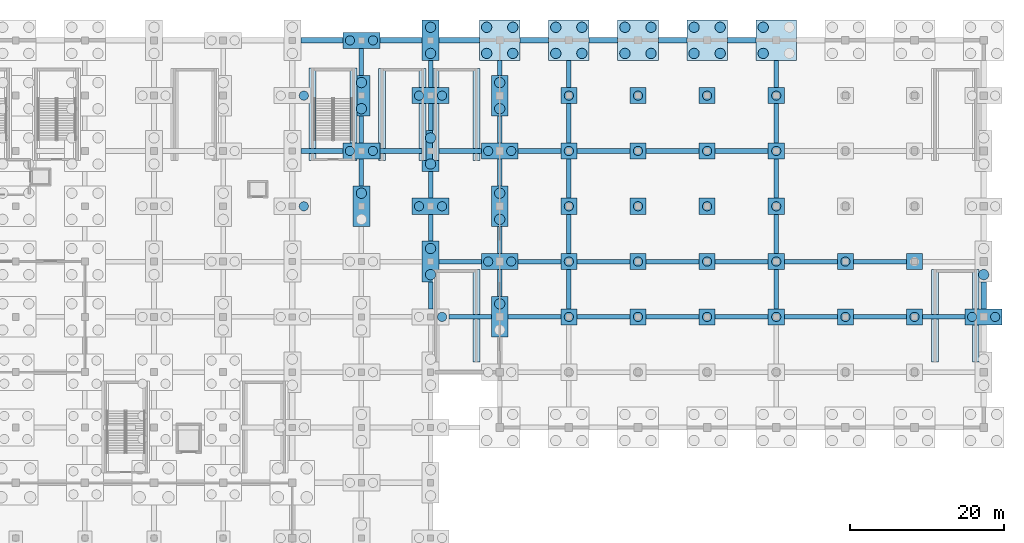
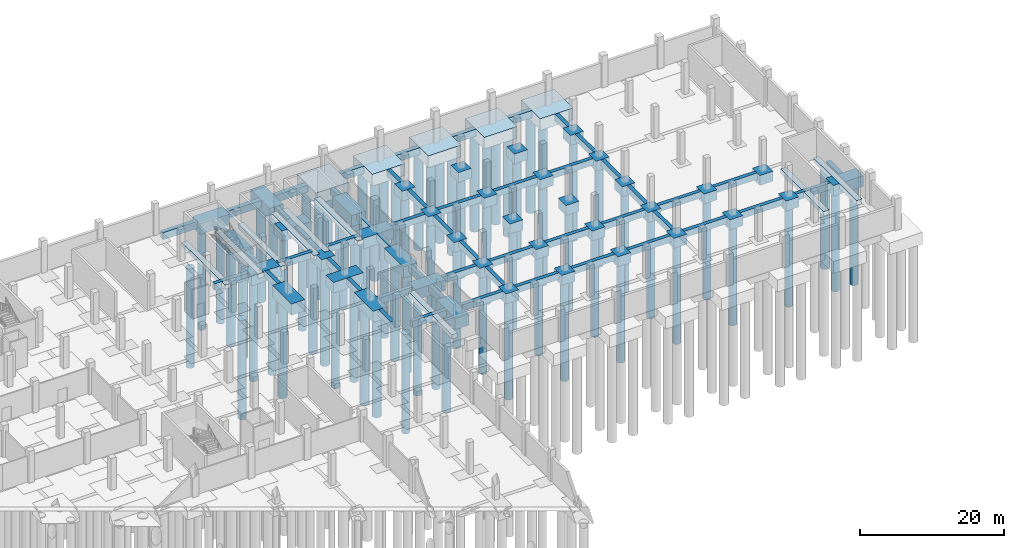
# One storey, part 11 of 39: 106 footings, 73 piles.
"""IFC4 building model written with IfcOpenShell, lengths in metres."""

from ifc_helpers import new_model, si_unit, direction, frame, origin, origin_2d, place, context, subcontext, project, spatial, rectangle, circle, extrude, material, material_profile, profile_set, type_object, element, save


model = new_model("IFC4")

# Units and contexts
model_context = context("Model", 3, precision=1e-05, world=origin(), true_north=direction((0.0, 1.0)))
body_context = subcontext(model_context, "Body", "Model", "MODEL_VIEW")
ifc_project = project(units=[si_unit("LENGTHUNIT", "METRE"), si_unit("AREAUNIT", "SQUARE_METRE"), si_unit("VOLUMEUNIT", "CUBIC_METRE"), si_unit("PLANEANGLEUNIT", "RADIAN"), si_unit("MASSUNIT", "GRAM", prefix="KILO")], contexts=[model_context])

# Site, building, storey
site_placement = place(None, origin())
site = spatial("IfcSite", under=ifc_project, at=site_placement, CompositionType="ELEMENT")
building_placement = place(site_placement, origin())
building = spatial("IfcBuilding", under=site, at=building_placement, Name="Celestram Park Convention Centre", CompositionType="ELEMENT")
storey_placement = place(building_placement, frame((0.0, 0.0, -5.39990234375)))
storey = spatial("IfcBuildingStorey", under=building, at=storey_placement, Name="B1", CompositionType="ELEMENT", Elevation=-5.39990234375)

# Footings
ifc_material_1 = material(Name="Concrete C40/50", Category="concrete")
footing_type_1 = type_object("IfcFootingType", Name="STR-CAP-PC2", PredefinedType="PILE_CAP", material=ifc_material_1)
for number, where, z_axis, x_axis, name in (
    (1, (162.0, 129.60009765625, -1.7001953125), (0.0, 0.0, 1.0), (1.0, 0.0, 0.0), "Caisson cap PC-02 at (162.0, 129.6)"),
    (2, (162.0, 136.800048828125, -1.7001953125), (0.0, 0.0, 1.0), (1.0, 0.0, 0.0), "Caisson cap PC-02 at (162.0, 136.8)"),
    (3, (162.0, 144.0, -1.7001953125), (0.0, 0.0, 1.0), (1.0, 0.0, 0.0), "Caisson cap PC-02 at (162.0, 144.0)"),
    (4, (162.0, 151.199951171875, -1.7001953125), (0.0, 0.0, 1.0), (1.0, 0.0, 0.0), "Caisson cap PC-02 at (162.0, 151.2)"),
    (5, (162.0, 158.39990234375, -1.7001953125), (0.0, 0.0, 1.0), (1.0, 0.0, 0.0), "Caisson cap PC-02 at (162.0, 158.4)"),
    (6, (171.0, 129.60009765625, -1.7001953125), (0.0, 0.0, 1.0), (1.0, 0.0, 0.0), "Caisson cap PC-02 at (171.0, 129.6)"),
    (7, (171.0, 136.800048828125, -1.7001953125), (0.0, 0.0, 1.0), (1.0, 0.0, 0.0), "Caisson cap PC-02 at (171.0, 136.8)"),
    (8, (171.0, 144.0, -1.7001953125), (0.0, 0.0, 1.0), (1.0, 0.0, 0.0), "Caisson cap PC-02 at (171.0, 144.0)"),
    (9, (171.0, 151.199951171875, -1.7001953125), (0.0, 0.0, 1.0), (1.0, 0.0, 0.0), "Caisson cap PC-02 at (171.0, 151.2)"),
    (10, (171.0, 158.39990234375, -1.7001953125), (0.0, 0.0, 1.0), (1.0, 0.0, 0.0), "Caisson cap PC-02 at (171.0, 158.4)"),
    (11, (180.0, 129.60009765625, -1.7001953125), (0.0, 0.0, 1.0), (1.0, 0.0, 0.0), "Caisson cap PC-02 at (180.0, 129.6)"),
    (12, (180.0, 136.800048828125, -1.7001953125), (0.0, 0.0, 1.0), (1.0, 0.0, 0.0), "Caisson cap PC-02 at (180.0, 136.8)"),
    (13, (180.0, 144.0, -1.7001953125), (0.0, 0.0, 1.0), (1.0, 0.0, 0.0), "Caisson cap PC-02 at (180.0, 144.0)"),
    (14, (180.0, 151.199951171875, -1.7001953125), (0.0, 0.0, 1.0), (1.0, 0.0, 0.0), "Caisson cap PC-02 at (180.0, 151.2)"),
    (15, (180.0, 158.39990234375, -1.7001953125), (0.0, 0.0, 1.0), (1.0, 0.0, 0.0), "Caisson cap PC-02 at (180.0, 158.4)"),
    (16, (189.0, 129.60009765625, -1.7001953125), (0.0, 0.0, 1.0), (1.0, 0.0, 0.0), "Caisson cap PC-02 at (189.0, 129.6)"),
    (17, (189.0, 136.800048828125, -1.7001953125), (0.0, 0.0, 1.0), (1.0, 0.0, 0.0), "Caisson cap PC-02 at (189.0, 136.8)"),
    (18, (189.0, 144.0, -1.7001953125), (0.0, 0.0, 1.0), (1.0, 0.0, 0.0), "Caisson cap PC-02 at (189.0, 144.0)"),
    (19, (189.0, 151.199951171875, -1.7001953125), (0.0, 0.0, 1.0), (1.0, 0.0, 0.0), "Caisson cap PC-02 at (189.0, 151.2)"),
    (20, (189.0, 158.39990234375, -1.7001953125), (0.0, 0.0, 1.0), (1.0, 0.0, 0.0), "Caisson cap PC-02 at (189.0, 158.4)"),
    (21, (198.0, 129.60009765625, -1.7001953125), (0.0, 0.0, 1.0), (1.0, 0.0, 0.0), "Caisson cap PC-02 at (198.0, 129.6)"),
    (22, (198.0, 136.800048828125, -1.7001953125), (0.0, 0.0, 1.0), (1.0, 0.0, 0.0), "Caisson cap PC-02 at (198.0, 136.8)"),
    (23, (207.0, 129.60009765625, -1.7001953125), (0.0, 0.0, 1.0), (1.0, 0.0, 0.0), "Caisson cap PC-02 at (207.0, 129.6)"),
    (24, (207.0, 136.800048828125, -1.7001953125), (0.0, 0.0, 1.0), (1.0, 0.0, 0.0), "Caisson cap PC-02 at (207.0, 136.8)"),
):
    element("IfcFooting", number, at=place(storey_placement, frame(where, z_axis=z_axis, x_axis=x_axis)), inside=storey, type_object=footing_type_1, Name=name, PredefinedType="PILE_CAP", context=body_context, shape_type="SweptSolid", body=[
        extrude(rectangle(XDim=2.10009765625, YDim=2.10009765625, at=origin_2d()), origin(), (0.0, 0.0, 1.0), 1.699951171875),
    ])
footing_type_2 = type_object("IfcFootingType", Name="STR-CAP-PC4", PredefinedType="PILE_CAP", material=ifc_material_1)
for number, where, z_axis, x_axis, name in (
    (25, (135.0, 151.199951171875, -1.80029296875), (0.0, 0.0, 1.0), (1.0, 0.0, 0.0), "Caisson cap PC-04 at (135.0, 151.2)"),
    (26, (135.0, 165.60009765625, -1.80029296875), (0.0, 0.0, 1.0), (1.0, 0.0, 0.0), "Caisson cap PC-04 at (135.0, 165.6)"),
    (27, (144.0, 144.0, -1.80029296875), (0.0, 0.0, 1.0), (1.0, 0.0, 0.0), "Caisson cap PC-04 at (144.0, 144.0)"),
    (28, (144.0, 158.39990234375, -1.80029296875), (0.0, 0.0, 1.0), (1.0, 0.0, 0.0), "Caisson cap PC-04 at (144.0, 158.4)"),
    (29, (153.0, 136.800048828125, -1.80029296875), (0.0, 0.0, 1.0), (1.0, 0.0, 0.0), "Caisson cap PC-04 at (153.0, 136.8)"),
    (30, (153.0, 151.199951171875, -1.80029296875), (0.0, 0.0, 1.0), (1.0, 0.0, 0.0), "Caisson cap PC-04 at (153.0, 151.2)"),
    (31, (216.0, 129.60009765625, -1.80029296875), (0.0, 0.0, 1.0), (1.0, 0.0, 0.0), "Caisson cap PC-04 at (216.0, 129.6)"),
):
    element("IfcFooting", number, at=place(storey_placement, frame(where, z_axis=z_axis, x_axis=x_axis)), inside=storey, type_object=footing_type_2, Name=name, PredefinedType="PILE_CAP", context=body_context, shape_type="SweptSolid", body=[
        extrude(rectangle(XDim=4.800048828125, YDim=2.10009765625, at=origin_2d()), origin(), (0.0, 0.0, 1.0), 1.800048828125),
    ])
footing_type_3 = type_object("IfcFootingType", Name="STR-CAP-PC5", PredefinedType="PILE_CAP", material=ifc_material_1)
for number, where, z_axis, x_axis, name in (
    (32, (135.0, 144.0, -1.900146484375), (0.0, 0.0, 1.0), (1.0, 0.0, 0.0), "Caisson cap PC-05 at (135.0, 144.0)"),
    (33, (135.0, 158.39990234375, -1.900146484375), (0.0, 0.0, 1.0), (1.0, 0.0, 0.0), "Caisson cap PC-05 at (135.0, 158.4)"),
    (34, (144.0, 136.800048828125, -1.900146484375), (0.0, 0.0, 1.0), (1.0, 0.0, 0.0), "Caisson cap PC-05 at (144.0, 136.8)"),
    (35, (144.0, 151.199951171875, -1.900146484375), (0.0, 0.0, 1.0), (1.0, 0.0, 0.0), "Caisson cap PC-05 at (144.0, 151.2)"),
    (36, (144.0, 165.60009765625, -1.900146484375), (0.0, 0.0, 1.0), (1.0, 0.0, 0.0), "Caisson cap PC-05 at (144.0, 165.6)"),
    (37, (153.0, 129.60009765625, -1.900146484375), (0.0, 0.0, 1.0), (1.0, 0.0, 0.0), "Caisson cap PC-05 at (153.0, 129.6)"),
    (38, (153.0, 144.0, -1.900146484375), (0.0, 0.0, 1.0), (1.0, 0.0, 0.0), "Caisson cap PC-05 at (153.0, 144.0)"),
    (39, (153.0, 158.39990234375, -1.900146484375), (0.0, 0.0, 1.0), (1.0, 0.0, 0.0), "Caisson cap PC-05 at (153.0, 158.4)"),
):
    element("IfcFooting", number, at=place(storey_placement, frame(where, z_axis=z_axis, x_axis=x_axis)), inside=storey, type_object=footing_type_3, Name=name, PredefinedType="PILE_CAP", context=body_context, shape_type="SweptSolid", body=[
        extrude(rectangle(XDim=2.199951171875, YDim=5.300048828125, at=origin_2d()), origin(), (0.0, 0.0, 1.0), 1.89990234375),
    ])
footing_type_4 = type_object("IfcFootingType", Name="STR-CAP-PC7", PredefinedType="PILE_CAP", material=ifc_material_1)
for number, where, z_axis, x_axis, name in (
    (40, (153.0, 165.60009765625, -2.0), (0.0, 0.0, 1.0), (1.0, 0.0, 0.0), "Caisson cap PC-07 at (153.0, 165.6)"),
    (41, (162.0, 165.60009765625, -2.0), (0.0, 0.0, 1.0), (1.0, 0.0, 0.0), "Caisson cap PC-07 at (162.0, 165.6)"),
    (42, (171.0, 165.60009765625, -2.0), (0.0, 0.0, 1.0), (1.0, 0.0, 0.0), "Caisson cap PC-07 at (171.0, 165.6)"),
    (43, (180.0, 165.60009765625, -2.0), (0.0, 0.0, 1.0), (1.0, 0.0, 0.0), "Caisson cap PC-07 at (180.0, 165.6)"),
    (44, (189.0, 165.60009765625, -2.0), (0.0, 0.0, 1.0), (1.0, 0.0, 0.0), "Caisson cap PC-07 at (189.0, 165.6)"),
):
    element("IfcFooting", number, at=place(storey_placement, frame(where, z_axis=z_axis, x_axis=x_axis)), inside=storey, type_object=footing_type_4, Name=name, PredefinedType="PILE_CAP", context=body_context, shape_type="SweptSolid", body=[
        extrude(rectangle(XDim=5.300048828125, YDim=5.300048828125, at=origin_2d()), origin(), (0.0, 0.0, 1.0), 2.0),
    ])
ifc_material_2 = material(Name="Concrete C35/45", Category="concrete")
footing_type_5 = type_object("IfcFootingType", Name="STR-FTG-GB05", PredefinedType="FOOTING_BEAM", material=ifc_material_2)
for number, where, z_axis, x_axis, name in (
    (45, (166.5, 129.60009765625, -1.10009765625), (0.0, 0.0, 1.0), (1.0, 0.0, 0.0), "Grade tie beam GB-B1-475"),
    (46, (166.5, 136.800048828125, -1.10009765625), (0.0, 0.0, 1.0), (1.0, 0.0, 0.0), "Grade tie beam GB-B1-477"),
    (47, (166.5, 151.199951171875, -1.10009765625), (0.0, 0.0, 1.0), (1.0, 0.0, 0.0), "Grade tie beam GB-B1-480"),
    (48, (175.5, 129.60009765625, -1.10009765625), (0.0, 0.0, 1.0), (1.0, 0.0, 0.0), "Grade tie beam GB-B1-489"),
    (49, (175.5, 136.800048828125, -1.10009765625), (0.0, 0.0, 1.0), (1.0, 0.0, 0.0), "Grade tie beam GB-B1-490"),
    (50, (175.5, 151.199951171875, -1.10009765625), (0.0, 0.0, 1.0), (1.0, 0.0, 0.0), "Grade tie beam GB-B1-491"),
    (51, (184.5, 129.60009765625, -1.10009765625), (0.0, 0.0, 1.0), (1.0, 0.0, 0.0), "Grade tie beam GB-B1-498"),
    (52, (184.5, 136.800048828125, -1.10009765625), (0.0, 0.0, 1.0), (1.0, 0.0, 0.0), "Grade tie beam GB-B1-499"),
    (53, (184.5, 151.199951171875, -1.10009765625), (0.0, 0.0, 1.0), (1.0, 0.0, 0.0), "Grade tie beam GB-B1-500"),
    (54, (193.5, 129.60009765625, -1.10009765625), (0.0, 0.0, 1.0), (1.0, 0.0, 0.0), "Grade tie beam GB-B1-514"),
    (55, (193.5, 136.800048828125, -1.10009765625), (0.0, 0.0, 1.0), (1.0, 0.0, 0.0), "Grade tie beam GB-B1-516"),
    (56, (202.5, 129.60009765625, -1.10009765625), (0.0, 0.0, 1.0), (1.0, 0.0, 0.0), "Grade tie beam GB-B1-528"),
    (57, (202.5, 136.800048828125, -1.10009765625), (0.0, 0.0, 1.0), (1.0, 0.0, 0.0), "Grade tie beam GB-B1-529"),
):
    element("IfcFooting", number, at=place(storey_placement, frame(where, z_axis=z_axis, x_axis=x_axis)), inside=storey, type_object=footing_type_5, Name=name, PredefinedType="FOOTING_BEAM", context=body_context, shape_type="SweptSolid", body=[
        extrude(rectangle(XDim=6.89990234375, YDim=0.60009765625, at=origin_2d()), origin(), (0.0, 0.0, 1.0), 1.10009765625),
    ])
footing_type_6 = type_object("IfcFootingType", Name="STR-FTG-GB09", PredefinedType="FOOTING_BEAM", material=ifc_material_2)
for number, where, z_axis, x_axis, name in (
    (58, (162.0, 133.199951171875, -1.10009765625), (0.0, 0.0, 1.0), (0.0, 1.0, 0.0), "Grade tie beam GB-B1-476"),
    (59, (162.0, 140.39990234375, -1.10009765625), (0.0, 0.0, 1.0), (0.0, 1.0, 0.0), "Grade tie beam GB-B1-478"),
    (60, (162.0, 147.60009765625, -1.10009765625), (0.0, 0.0, 1.0), (0.0, 1.0, 0.0), "Grade tie beam GB-B1-479"),
    (61, (162.0, 154.800048828125, -1.10009765625), (0.0, 0.0, 1.0), (0.0, 1.0, 0.0), "Grade tie beam GB-B1-481"),
    (62, (189.0, 133.199951171875, -1.10009765625), (0.0, 0.0, 1.0), (0.0, 1.0, 0.0), "Grade tie beam GB-B1-515"),
    (63, (189.0, 140.39990234375, -1.10009765625), (0.0, 0.0, 1.0), (0.0, 1.0, 0.0), "Grade tie beam GB-B1-517"),
    (64, (189.0, 147.60009765625, -1.10009765625), (0.0, 0.0, 1.0), (0.0, 1.0, 0.0), "Grade tie beam GB-B1-518"),
    (65, (189.0, 154.800048828125, -1.10009765625), (0.0, 0.0, 1.0), (0.0, 1.0, 0.0), "Grade tie beam GB-B1-520"),
):
    element("IfcFooting", number, at=place(storey_placement, frame(where, z_axis=z_axis, x_axis=x_axis)), inside=storey, type_object=footing_type_6, Name=name, PredefinedType="FOOTING_BEAM", context=body_context, shape_type="SweptSolid", body=[
        extrude(rectangle(XDim=5.10009765625, YDim=0.60009765625, at=origin_2d()), origin(), (0.0, 0.0, 1.0), 1.10009765625),
    ])
footing_type_7 = type_object("IfcFootingType", Name="STR-FTG-GB19", PredefinedType="FOOTING_BEAM", material=ifc_material_2)
for number, where, z_axis, x_axis, name in (
    (66, (157.5, 165.60009765625, -1.2001953125), (0.0, 0.0, 1.0), (1.0, 0.0, 0.0), "Grade tie beam GB-B1-462"),
    (67, (166.5, 165.60009765625, -1.2001953125), (0.0, 0.0, 1.0), (1.0, 0.0, 0.0), "Grade tie beam GB-B1-483"),
    (68, (175.5, 165.60009765625, -1.2001953125), (0.0, 0.0, 1.0), (1.0, 0.0, 0.0), "Grade tie beam GB-B1-492"),
    (69, (184.5, 165.60009765625, -1.2001953125), (0.0, 0.0, 1.0), (1.0, 0.0, 0.0), "Grade tie beam GB-B1-501"),
):
    element("IfcFooting", number, at=place(storey_placement, frame(where, z_axis=z_axis, x_axis=x_axis)), inside=storey, type_object=footing_type_7, Name=name, PredefinedType="FOOTING_BEAM", context=body_context, shape_type="SweptSolid", body=[
        extrude(rectangle(XDim=3.699951171875, YDim=0.699951171875, at=origin_2d()), origin(), (0.0, 0.0, 1.0), 1.199951171875),
    ])
footing_type_8 = type_object("IfcFootingType", Name="STR-FTG-GB23", PredefinedType="FOOTING_BEAM", material=ifc_material_2)
for number, where, z_axis, x_axis, name in (
    (70, (135.0, 148.39990234375, -1.10009765625), (0.0, 0.0, 1.0), (0.0, 1.0, 0.0), "Grade tie beam GB-B1-405"),
    (71, (135.0, 154.0, -1.10009765625), (0.0, 0.0, 1.0), (0.0, 1.0, 0.0), "Grade tie beam GB-B1-407"),
    (72, (135.0, 162.800048828125, -1.10009765625), (0.0, 0.0, 1.0), (0.0, 1.0, 0.0), "Grade tie beam GB-B1-408"),
    (73, (144.0, 132.39990234375, -1.10009765625), (0.0, 0.0, 1.0), (0.0, 1.0, 0.0), "Grade tie beam GB-B1-434"),
    (74, (144.0, 141.199951171875, -1.10009765625), (0.0, 0.0, 1.0), (0.0, 1.0, 0.0), "Grade tie beam GB-B1-436"),
    (75, (144.0, 146.800048828125, -1.10009765625), (0.0, 0.0, 1.0), (0.0, 1.0, 0.0), "Grade tie beam GB-B1-437"),
    (76, (144.0, 155.60009765625, -1.10009765625), (0.0, 0.0, 1.0), (0.0, 1.0, 0.0), "Grade tie beam GB-B1-439"),
    (77, (144.0, 161.199951171875, -1.10009765625), (0.0, 0.0, 1.0), (0.0, 1.0, 0.0), "Grade tie beam GB-B1-440"),
    (78, (153.0, 134.0, -1.10009765625), (0.0, 0.0, 1.0), (0.0, 1.0, 0.0), "Grade tie beam GB-B1-455"),
    (79, (153.0, 139.60009765625, -1.10009765625), (0.0, 0.0, 1.0), (0.0, 1.0, 0.0), "Grade tie beam GB-B1-457"),
    (80, (153.0, 148.39990234375, -1.10009765625), (0.0, 0.0, 1.0), (0.0, 1.0, 0.0), "Grade tie beam GB-B1-458"),
    (81, (153.0, 154.0, -1.10009765625), (0.0, 0.0, 1.0), (0.0, 1.0, 0.0), "Grade tie beam GB-B1-460"),
    (82, (162.0, 161.199951171875, -1.10009765625), (0.0, 0.0, 1.0), (0.0, 1.0, 0.0), "Grade tie beam GB-B1-482"),
    (83, (189.0, 161.199951171875, -1.10009765625), (0.0, 0.0, 1.0), (0.0, 1.0, 0.0), "Grade tie beam GB-B1-521"),
):
    element("IfcFooting", number, at=place(storey_placement, frame(where, z_axis=z_axis, x_axis=x_axis)), inside=storey, type_object=footing_type_8, Name=name, PredefinedType="FOOTING_BEAM", context=body_context, shape_type="SweptSolid", body=[
        extrude(rectangle(XDim=3.5, YDim=0.60009765625, at=origin_2d()), origin(), (0.0, 0.0, 1.0), 1.10009765625),
    ])
footing_type_9 = type_object("IfcFootingType", Name="STR-FTG-GB24", PredefinedType="FOOTING_BEAM", material=ifc_material_2)
footing_1_placement = place(storey_placement, frame((153.0, 162.0, -1.10009765625), z_axis=(0.0, 0.0, 1.0), x_axis=(0.0, 1.0, 0.0)))
element("IfcFooting", 84, at=footing_1_placement, inside=storey, type_object=footing_type_9, Name="Grade tie beam GB-B1-461", PredefinedType="FOOTING_BEAM", context=body_context, shape_type="SweptSolid", body=[
    extrude(rectangle(XDim=1.89990234375, YDim=0.60009765625, at=origin_2d()), origin(), (0.0, 0.0, 1.0), 1.10009765625),
])
footing_type_10 = type_object("IfcFootingType", Name="STR-FTG-GB25", PredefinedType="FOOTING_BEAM", material=ifc_material_2)
for number, where, z_axis, x_axis, name in (
    (85, (158.175048828125, 136.800048828125, -1.10009765625), (0.0, 0.0, 1.0), (1.0, 0.0, 0.0), "Grade tie beam GB-B1-456"),
    (86, (158.175048828125, 151.199951171875, -1.10009765625), (0.0, 0.0, 1.0), (1.0, 0.0, 0.0), "Grade tie beam GB-B1-459"),
    (87, (210.824951171875, 129.60009765625, -1.10009765625), (0.0, 0.0, 1.0), (1.0, 0.0, 0.0), "Grade tie beam GB-B1-537"),
):
    element("IfcFooting", number, at=place(storey_placement, frame(where, z_axis=z_axis, x_axis=x_axis)), inside=storey, type_object=footing_type_10, Name=name, PredefinedType="FOOTING_BEAM", context=body_context, shape_type="SweptSolid", body=[
        extrude(rectangle(XDim=5.550048828125, YDim=0.60009765625, at=origin_2d()), origin(), (0.0, 0.0, 1.0), 1.10009765625),
    ])
footing_type_11 = type_object("IfcFootingType", Name="STR-FTG-GB31", PredefinedType="FOOTING_BEAM", material=ifc_material_2)
footing_2_placement = place(storey_placement, frame((147.72509765625, 165.60009765625, -1.2001953125), z_axis=(0.0, 0.0, 1.0), x_axis=(1.0, 0.0, 0.0)))
element("IfcFooting", 88, at=footing_2_placement, inside=storey, type_object=footing_type_11, Name="Grade tie beam GB-B1-441", PredefinedType="FOOTING_BEAM", context=body_context, shape_type="SweptSolid", body=[
    extrude(rectangle(XDim=5.25, YDim=0.699951171875, at=origin_2d()), origin(), (0.0, 0.0, 1.0), 1.199951171875),
])
footing_type_12 = type_object("IfcFootingType", Name="STR-FTG-GB33", PredefinedType="FOOTING_BEAM", material=ifc_material_2)
for number, where, z_axis, x_axis, name in (
    (89, (129.85009765625, 151.199951171875, -1.10009765625), (0.0, 0.0, 1.0), (1.0, 0.0, 0.0), "Grade tie beam GB-B1-374"),
    (90, (140.14990234375, 151.199951171875, -1.10009765625), (0.0, 0.0, 1.0), (1.0, 0.0, 0.0), "Grade tie beam GB-B1-406"),
    (91, (149.14990234375, 129.60009765625, -1.10009765625), (0.0, 0.0, 1.0), (1.0, 0.0, 0.0), "Grade tie beam GB-B1-433"),
    (92, (147.85009765625, 136.800048828125, -1.10009765625), (0.0, 0.0, 1.0), (1.0, 0.0, 0.0), "Grade tie beam GB-B1-435"),
    (93, (147.85009765625, 151.199951171875, -1.10009765625), (0.0, 0.0, 1.0), (1.0, 0.0, 0.0), "Grade tie beam GB-B1-438"),
):
    element("IfcFooting", number, at=place(storey_placement, frame(where, z_axis=z_axis, x_axis=x_axis)), inside=storey, type_object=footing_type_12, Name=name, PredefinedType="FOOTING_BEAM", context=body_context, shape_type="SweptSolid", body=[
        extrude(rectangle(XDim=5.5, YDim=0.60009765625, at=origin_2d()), origin(), (0.0, 0.0, 1.0), 1.10009765625),
    ])
footing_type_13 = type_object("IfcFootingType", Name="STR-FTG-GB34", PredefinedType="FOOTING_BEAM", material=ifc_material_2)
for number, where, z_axis, x_axis, name in (
    (94, (129.85009765625, 165.60009765625, -1.2001953125), (0.0, 0.0, 1.0), (1.0, 0.0, 0.0), "Grade tie beam GB-B1-377"),
    (95, (140.14990234375, 165.60009765625, -1.2001953125), (0.0, 0.0, 1.0), (1.0, 0.0, 0.0), "Grade tie beam GB-B1-409"),
):
    element("IfcFooting", number, at=place(storey_placement, frame(where, z_axis=z_axis, x_axis=x_axis)), inside=storey, type_object=footing_type_13, Name=name, PredefinedType="FOOTING_BEAM", context=body_context, shape_type="SweptSolid", body=[
        extrude(rectangle(XDim=5.5, YDim=0.699951171875, at=origin_2d()), origin(), (0.0, 0.0, 1.0), 1.199951171875),
    ])
footing_type_14 = type_object("IfcFootingType", Name="STR-FTG-GB39", PredefinedType="FOOTING_BEAM", material=ifc_material_2)
footing_3_placement = place(storey_placement, frame((216.0, 132.39990234375, -1.2001953125), z_axis=(0.0, 0.0, 1.0), x_axis=(0.0, 1.0, 0.0)))
element("IfcFooting", 96, at=footing_3_placement, inside=storey, type_object=footing_type_14, Name="Grade tie beam GB-B1-548", PredefinedType="FOOTING_BEAM", context=body_context, shape_type="SweptSolid", body=[
    extrude(rectangle(XDim=3.5, YDim=0.699951171875, at=origin_2d()), origin(), (0.0, 0.0, 1.0), 1.199951171875),
])
footing_type_15 = type_object("IfcFootingType", Name="STR-FTG-GB46", PredefinedType="FOOTING_BEAM", material=ifc_material_2)
footing_4_placement = place(storey_placement, frame((157.52490234375, 129.60009765625, -1.10009765625), z_axis=(0.0, 0.0, 1.0), x_axis=(1.0, 0.0, 0.0)))
element("IfcFooting", 97, at=footing_4_placement, inside=storey, type_object=footing_type_15, Name="Grade tie beam GB-B1-454", PredefinedType="FOOTING_BEAM", context=body_context, shape_type="SweptSolid", body=[
    extrude(rectangle(XDim=6.85009765625, YDim=0.60009765625, at=origin_2d()), origin(), (0.0, 0.0, 1.0), 1.10009765625),
])
footing_type_16 = type_object("IfcFootingType", Name="STR-FTG-SF49", PredefinedType="STRIP_FOOTING", material=ifc_material_2)
for number, where, z_axis, x_axis, name in (
    (98, (128.64990234375, 155.965087890625, -0.75), (0.0, 0.0, 1.0), (0.0, 1.0, 0.0), "Core C5 strip footing"),
    (99, (133.989990234375, 155.965087890625, -0.75), (0.0, 0.0, 1.0), (0.0, 1.0, 0.0), "Core C5 strip footing"),
):
    element("IfcFooting", number, at=place(storey_placement, frame(where, z_axis=z_axis, x_axis=x_axis)), inside=storey, type_object=footing_type_16, Name=name, PredefinedType="STRIP_FOOTING", context=body_context, shape_type="SweptSolid", body=[
        extrude(rectangle(XDim=12.030029296875, YDim=0.89990234375, at=origin_2d()), origin(), (0.0, 0.0, 1.0), 0.75),
    ])
footing_type_17 = type_object("IfcFootingType", Name="STR-FTG-SF50", PredefinedType="STRIP_FOOTING", material=ifc_material_2)
for number, where, z_axis, x_axis, name in (
    (100, (209.669921875, 129.7451171875, -0.75), (0.0, 0.0, 1.0), (0.0, 1.0, 0.0), "Core S08 strip footing"),
    (101, (214.969970703125, 129.7451171875, -0.75), (0.0, 0.0, 1.0), (0.0, 1.0, 0.0), "Core S08 strip footing"),
    (102, (144.669921875, 155.945068359375, -0.75), (0.0, 0.0, 1.0), (0.0, 1.0, 0.0), "Core S09 strip footing"),
    (103, (149.969970703125, 155.945068359375, -0.75), (0.0, 0.0, 1.0), (0.0, 1.0, 0.0), "Core S09 strip footing"),
    (104, (149.969970703125, 129.7451171875, -0.75), (0.0, 0.0, 1.0), (0.0, 1.0, 0.0), "Core S10 strip footing"),
    (105, (137.669921875, 155.945068359375, -0.75), (0.0, 0.0, 1.0), (0.0, 1.0, 0.0), "Core S22 strip footing"),
    (106, (142.969970703125, 155.945068359375, -0.75), (0.0, 0.0, 1.0), (0.0, 1.0, 0.0), "Core S22 strip footing"),
):
    element("IfcFooting", number, at=place(storey_placement, frame(where, z_axis=z_axis, x_axis=x_axis)), inside=storey, type_object=footing_type_17, Name=name, PredefinedType="STRIP_FOOTING", context=body_context, shape_type="SweptSolid", body=[
        extrude(rectangle(XDim=11.989990234375, YDim=0.89990234375, at=origin_2d()), origin(), (0.0, 0.0, 1.0), 0.75),
    ])

# Piles
ifc_material_profile_1 = material_profile(ifc_material_1, circle(Radius=0.60009765625, at=origin_2d()), Name="CAISSON1200")
ifc_profile_set_1 = profile_set([ifc_material_profile_1], Name="Concrete C40/50")
pile_type_1 = type_object("IfcPileType", Name="STR-PIL-C1200", PredefinedType="BORED", material=ifc_profile_set_1)
for number, where, z_axis, x_axis, name in (
    (107, (127.5, 144.0, -1.7001953125), (0.0, 0.0, -1.0), (1.0, 0.0, 0.0), "Bored caisson PC-B1-616"),
    (108, (127.5, 158.39990234375, -1.7001953125), (0.0, 0.0, -1.0), (1.0, 0.0, 0.0), "Bored caisson PC-B1-620"),
    (109, (133.5, 151.199951171875, -1.7001953125), (0.0, 0.0, -1.0), (1.0, 0.0, 0.0), "Bored caisson PC-B1-657"),
    (110, (136.5, 151.199951171875, -1.7001953125), (0.0, 0.0, -1.0), (1.0, 0.0, 0.0), "Bored caisson PC-B1-658"),
    (111, (133.5, 165.60009765625, -1.7001953125), (0.0, 0.0, -1.0), (1.0, 0.0, 0.0), "Bored caisson PC-B1-661"),
    (112, (136.5, 165.60009765625, -1.7001953125), (0.0, 0.0, -1.0), (1.0, 0.0, 0.0), "Bored caisson PC-B1-662"),
    (113, (145.5, 129.60009765625, -1.7001953125), (0.0, 0.0, -1.0), (1.0, 0.0, 0.0), "Bored caisson PC-B1-695"),
    (114, (142.5, 144.0, -1.7001953125), (0.0, 0.0, -1.0), (1.0, 0.0, 0.0), "Bored caisson PC-B1-698"),
    (115, (145.5, 144.0, -1.7001953125), (0.0, 0.0, -1.0), (1.0, 0.0, 0.0), "Bored caisson PC-B1-699"),
    (116, (142.5, 158.39990234375, -1.7001953125), (0.0, 0.0, -1.0), (1.0, 0.0, 0.0), "Bored caisson PC-B1-702"),
    (117, (145.5, 158.39990234375, -1.7001953125), (0.0, 0.0, -1.0), (1.0, 0.0, 0.0), "Bored caisson PC-B1-703"),
    (118, (151.5, 136.800048828125, -1.7001953125), (0.0, 0.0, -1.0), (1.0, 0.0, 0.0), "Bored caisson PC-B1-720"),
    (119, (154.5, 136.800048828125, -1.7001953125), (0.0, 0.0, -1.0), (1.0, 0.0, 0.0), "Bored caisson PC-B1-721"),
    (120, (151.5, 151.199951171875, -1.7001953125), (0.0, 0.0, -1.0), (1.0, 0.0, 0.0), "Bored caisson PC-B1-724"),
    (121, (154.5, 151.199951171875, -1.7001953125), (0.0, 0.0, -1.0), (1.0, 0.0, 0.0), "Bored caisson PC-B1-725"),
):
    element("IfcPile", number, at=place(storey_placement, frame(where, z_axis=z_axis, x_axis=x_axis)), inside=storey, type_object=pile_type_1, Name=name, PredefinedType="BORED", context=body_context, shape_type="SweptSolid", body=[
        extrude(circle(Radius=0.60009765625, at=origin_2d()), origin(), (0.0, 0.0, 1.0), 16.89990234375),
    ])
for number, where, z_axis, x_axis, name in (
    (122, (162.0, 129.60009765625, -1.60009765625), (0.0, 0.0, -1.0), (1.0, 0.0, 0.0), "Bored caisson PC-B1-755"),
    (123, (162.0, 136.800048828125, -1.60009765625), (0.0, 0.0, -1.0), (1.0, 0.0, 0.0), "Bored caisson PC-B1-756"),
    (124, (162.0, 144.0, -1.60009765625), (0.0, 0.0, -1.0), (1.0, 0.0, 0.0), "Bored caisson PC-B1-757"),
    (125, (162.0, 151.199951171875, -1.60009765625), (0.0, 0.0, -1.0), (1.0, 0.0, 0.0), "Bored caisson PC-B1-758"),
    (126, (162.0, 158.39990234375, -1.60009765625), (0.0, 0.0, -1.0), (1.0, 0.0, 0.0), "Bored caisson PC-B1-759"),
    (127, (171.0, 129.60009765625, -1.60009765625), (0.0, 0.0, -1.0), (1.0, 0.0, 0.0), "Bored caisson PC-B1-775"),
    (128, (171.0, 136.800048828125, -1.60009765625), (0.0, 0.0, -1.0), (1.0, 0.0, 0.0), "Bored caisson PC-B1-776"),
    (129, (171.0, 144.0, -1.60009765625), (0.0, 0.0, -1.0), (1.0, 0.0, 0.0), "Bored caisson PC-B1-777"),
    (130, (171.0, 151.199951171875, -1.60009765625), (0.0, 0.0, -1.0), (1.0, 0.0, 0.0), "Bored caisson PC-B1-778"),
    (131, (171.0, 158.39990234375, -1.60009765625), (0.0, 0.0, -1.0), (1.0, 0.0, 0.0), "Bored caisson PC-B1-779"),
    (132, (180.0, 129.60009765625, -1.60009765625), (0.0, 0.0, -1.0), (1.0, 0.0, 0.0), "Bored caisson PC-B1-795"),
    (133, (180.0, 136.800048828125, -1.60009765625), (0.0, 0.0, -1.0), (1.0, 0.0, 0.0), "Bored caisson PC-B1-796"),
    (134, (180.0, 144.0, -1.60009765625), (0.0, 0.0, -1.0), (1.0, 0.0, 0.0), "Bored caisson PC-B1-797"),
    (135, (180.0, 151.199951171875, -1.60009765625), (0.0, 0.0, -1.0), (1.0, 0.0, 0.0), "Bored caisson PC-B1-798"),
    (136, (180.0, 158.39990234375, -1.60009765625), (0.0, 0.0, -1.0), (1.0, 0.0, 0.0), "Bored caisson PC-B1-799"),
    (137, (189.0, 129.60009765625, -1.60009765625), (0.0, 0.0, -1.0), (1.0, 0.0, 0.0), "Bored caisson PC-B1-819"),
    (138, (189.0, 136.800048828125, -1.60009765625), (0.0, 0.0, -1.0), (1.0, 0.0, 0.0), "Bored caisson PC-B1-820"),
    (139, (189.0, 144.0, -1.60009765625), (0.0, 0.0, -1.0), (1.0, 0.0, 0.0), "Bored caisson PC-B1-821"),
    (140, (189.0, 151.199951171875, -1.60009765625), (0.0, 0.0, -1.0), (1.0, 0.0, 0.0), "Bored caisson PC-B1-822"),
    (141, (189.0, 158.39990234375, -1.60009765625), (0.0, 0.0, -1.0), (1.0, 0.0, 0.0), "Bored caisson PC-B1-823"),
    (142, (198.0, 129.60009765625, -1.60009765625), (0.0, 0.0, -1.0), (1.0, 0.0, 0.0), "Bored caisson PC-B1-839"),
    (143, (198.0, 136.800048828125, -1.60009765625), (0.0, 0.0, -1.0), (1.0, 0.0, 0.0), "Bored caisson PC-B1-840"),
    (144, (207.0, 129.60009765625, -1.60009765625), (0.0, 0.0, -1.0), (1.0, 0.0, 0.0), "Bored caisson PC-B1-859"),
):
    element("IfcPile", number, at=place(storey_placement, frame(where, z_axis=z_axis, x_axis=x_axis)), inside=storey, type_object=pile_type_1, Name=name, PredefinedType="BORED", context=body_context, shape_type="SweptSolid", body=[
        extrude(circle(Radius=0.60009765625, at=origin_2d()), origin(), (0.0, 0.0, 1.0), 17.0),
    ])
for number, where, z_axis, x_axis, name in (
    (145, (214.5, 129.60009765625, -1.7001953125), (0.0, 0.0, -1.0), (1.0, 0.0, 0.0), "Bored caisson PC-B1-880"),
    (146, (217.5, 129.60009765625, -1.7001953125), (0.0, 0.0, -1.0), (1.0, 0.0, 0.0), "Bored caisson PC-B1-881"),
):
    element("IfcPile", number, at=place(storey_placement, frame(where, z_axis=z_axis, x_axis=x_axis)), inside=storey, type_object=pile_type_1, Name=name, PredefinedType="BORED", context=body_context, shape_type="SweptSolid", body=[
        extrude(circle(Radius=0.60009765625, at=origin_2d()), origin(), (0.0, 0.0, 1.0), 16.89990234375),
    ])
ifc_material_profile_2 = material_profile(ifc_material_1, circle(Radius=0.675048828125, at=origin_2d()), Name="CAISSON1350")
ifc_profile_set_2 = profile_set([ifc_material_profile_2], Name="Concrete C40/50")
pile_type_2 = type_object("IfcPileType", Name="STR-PIL-C1350", PredefinedType="BORED", material=ifc_profile_set_2)
for number, where, z_axis, x_axis, name in (
    (147, (135.0, 145.699951171875, -1.800048828125), (0.0, 0.0, -1.0), (1.0, 0.0, 0.0), "Bored caisson PC-B1-656"),
    (148, (135.0, 156.699951171875, -1.800048828125), (0.0, 0.0, -1.0), (1.0, 0.0, 0.0), "Bored caisson PC-B1-659"),
    (149, (135.0, 160.10009765625, -1.800048828125), (0.0, 0.0, -1.0), (1.0, 0.0, 0.0), "Bored caisson PC-B1-660"),
    (150, (144.0, 135.10009765625, -1.800048828125), (0.0, 0.0, -1.0), (1.0, 0.0, 0.0), "Bored caisson PC-B1-696"),
    (151, (144.0, 138.5, -1.800048828125), (0.0, 0.0, -1.0), (1.0, 0.0, 0.0), "Bored caisson PC-B1-697"),
    (152, (144.0, 149.5, -1.800048828125), (0.0, 0.0, -1.0), (1.0, 0.0, 0.0), "Bored caisson PC-B1-700"),
    (153, (144.0, 152.89990234375, -1.800048828125), (0.0, 0.0, -1.0), (1.0, 0.0, 0.0), "Bored caisson PC-B1-701"),
    (154, (144.0, 163.89990234375, -1.800048828125), (0.0, 0.0, -1.0), (1.0, 0.0, 0.0), "Bored caisson PC-B1-704"),
    (155, (144.0, 167.300048828125, -1.800048828125), (0.0, 0.0, -1.0), (1.0, 0.0, 0.0), "Bored caisson PC-B1-705"),
    (156, (153.0, 131.300048828125, -1.800048828125), (0.0, 0.0, -1.0), (1.0, 0.0, 0.0), "Bored caisson PC-B1-719"),
    (157, (153.0, 142.300048828125, -1.800048828125), (0.0, 0.0, -1.0), (1.0, 0.0, 0.0), "Bored caisson PC-B1-722"),
    (158, (153.0, 145.699951171875, -1.800048828125), (0.0, 0.0, -1.0), (1.0, 0.0, 0.0), "Bored caisson PC-B1-723"),
    (159, (153.0, 156.699951171875, -1.800048828125), (0.0, 0.0, -1.0), (1.0, 0.0, 0.0), "Bored caisson PC-B1-726"),
    (160, (153.0, 160.10009765625, -1.800048828125), (0.0, 0.0, -1.0), (1.0, 0.0, 0.0), "Bored caisson PC-B1-727"),
):
    element("IfcPile", number, at=place(storey_placement, frame(where, z_axis=z_axis, x_axis=x_axis)), inside=storey, type_object=pile_type_2, Name=name, PredefinedType="BORED", context=body_context, shape_type="SweptSolid", body=[
        extrude(circle(Radius=0.675048828125, at=origin_2d()), origin(), (0.0, 0.0, 1.0), 16.800048828125),
    ])
for number, where, z_axis, x_axis, name in (
    (161, (151.300048828125, 163.89990234375, -1.900146484375), (0.0, 0.0, -1.0), (1.0, 0.0, 0.0), "Bored caisson PC-B1-728"),
    (162, (154.699951171875, 163.89990234375, -1.900146484375), (0.0, 0.0, -1.0), (1.0, 0.0, 0.0), "Bored caisson PC-B1-729"),
    (163, (151.300048828125, 167.300048828125, -1.900146484375), (0.0, 0.0, -1.0), (1.0, 0.0, 0.0), "Bored caisson PC-B1-730"),
    (164, (154.699951171875, 167.300048828125, -1.900146484375), (0.0, 0.0, -1.0), (1.0, 0.0, 0.0), "Bored caisson PC-B1-731"),
    (165, (160.300048828125, 163.89990234375, -1.900146484375), (0.0, 0.0, -1.0), (1.0, 0.0, 0.0), "Bored caisson PC-B1-760"),
    (166, (163.699951171875, 163.89990234375, -1.900146484375), (0.0, 0.0, -1.0), (1.0, 0.0, 0.0), "Bored caisson PC-B1-761"),
    (167, (160.300048828125, 167.300048828125, -1.900146484375), (0.0, 0.0, -1.0), (1.0, 0.0, 0.0), "Bored caisson PC-B1-762"),
    (168, (163.699951171875, 167.300048828125, -1.900146484375), (0.0, 0.0, -1.0), (1.0, 0.0, 0.0), "Bored caisson PC-B1-763"),
    (169, (169.300048828125, 163.89990234375, -1.900146484375), (0.0, 0.0, -1.0), (1.0, 0.0, 0.0), "Bored caisson PC-B1-780"),
    (170, (172.699951171875, 163.89990234375, -1.900146484375), (0.0, 0.0, -1.0), (1.0, 0.0, 0.0), "Bored caisson PC-B1-781"),
    (171, (169.300048828125, 167.300048828125, -1.900146484375), (0.0, 0.0, -1.0), (1.0, 0.0, 0.0), "Bored caisson PC-B1-782"),
    (172, (172.699951171875, 167.300048828125, -1.900146484375), (0.0, 0.0, -1.0), (1.0, 0.0, 0.0), "Bored caisson PC-B1-783"),
    (173, (178.300048828125, 163.89990234375, -1.900146484375), (0.0, 0.0, -1.0), (1.0, 0.0, 0.0), "Bored caisson PC-B1-800"),
    (174, (181.699951171875, 163.89990234375, -1.900146484375), (0.0, 0.0, -1.0), (1.0, 0.0, 0.0), "Bored caisson PC-B1-801"),
    (175, (178.300048828125, 167.300048828125, -1.900146484375), (0.0, 0.0, -1.0), (1.0, 0.0, 0.0), "Bored caisson PC-B1-802"),
    (176, (181.699951171875, 167.300048828125, -1.900146484375), (0.0, 0.0, -1.0), (1.0, 0.0, 0.0), "Bored caisson PC-B1-803"),
    (177, (187.300048828125, 163.89990234375, -1.900146484375), (0.0, 0.0, -1.0), (1.0, 0.0, 0.0), "Bored caisson PC-B1-824"),
    (178, (187.300048828125, 167.300048828125, -1.900146484375), (0.0, 0.0, -1.0), (1.0, 0.0, 0.0), "Bored caisson PC-B1-826"),
):
    element("IfcPile", number, at=place(storey_placement, frame(where, z_axis=z_axis, x_axis=x_axis)), inside=storey, type_object=pile_type_2, Name=name, PredefinedType="BORED", context=body_context, shape_type="SweptSolid", body=[
        extrude(circle(Radius=0.675048828125, at=origin_2d()), origin(), (0.0, 0.0, 1.0), 16.699951171875),
    ])
pile_placement = place(storey_placement, frame((216.0, 135.10009765625, -1.800048828125), z_axis=(0.0, 0.0, -1.0), x_axis=(1.0, 0.0, 0.0)))
element("IfcPile", 179, at=pile_placement, inside=storey, type_object=pile_type_2, Name="Bored caisson PC-B1-882", PredefinedType="BORED", context=body_context, shape_type="SweptSolid", body=[
    extrude(circle(Radius=0.675048828125, at=origin_2d()), origin(), (0.0, 0.0, 1.0), 16.800048828125),
])

save(model, "model.ifc")
